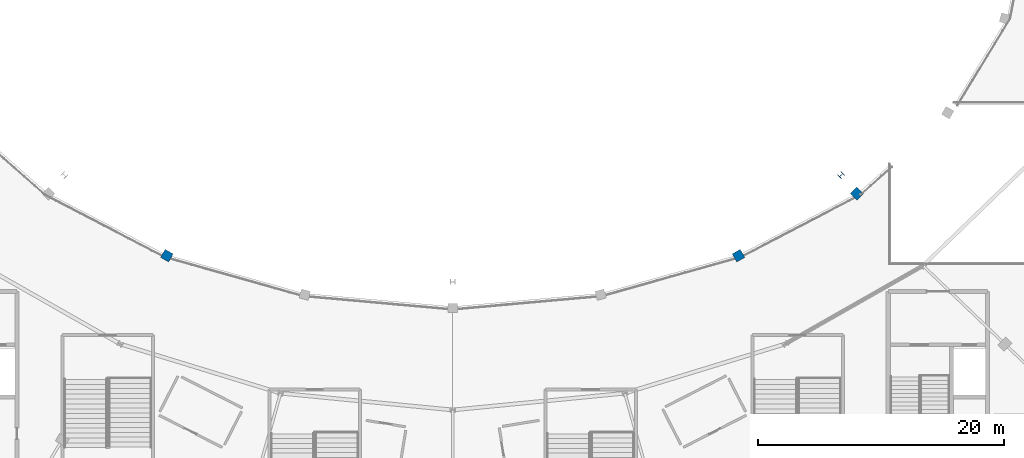
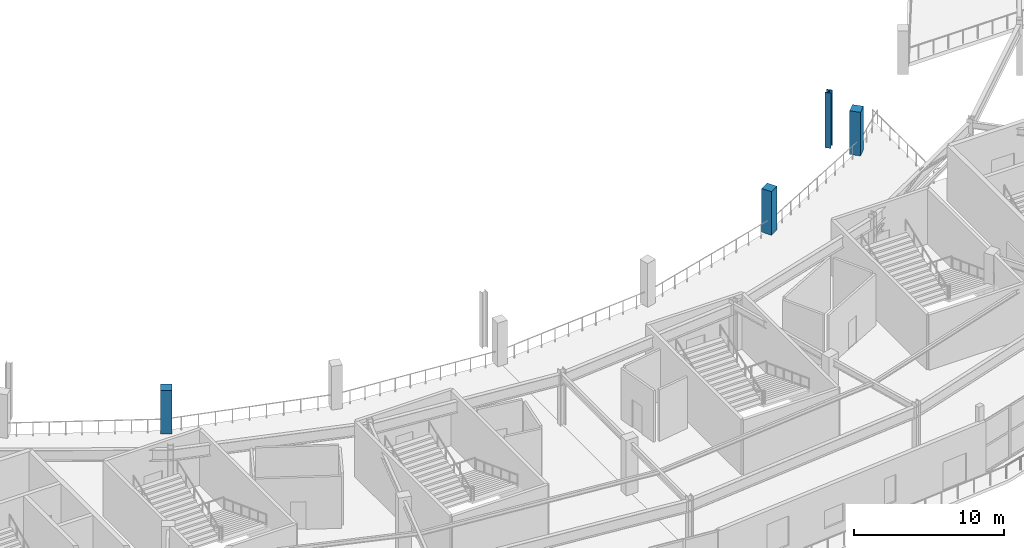
# One storey, part 6 of 123: 4 columns.
"""IFC4 building model written with IfcOpenShell, lengths in metres."""

from ifc_helpers import new_model, si_unit, direction, frame, origin, origin_2d, place, context, subcontext, project, spatial, rectangle, i_section, extrude, material, material_profile, profile_set, type_object, element, save


model = new_model("IFC4")

# Units and contexts
model_context = context("Model", 3, precision=1e-05, world=origin(), true_north=direction((0.0, 1.0)))
body_context = subcontext(model_context, "Body", "Model", "MODEL_VIEW")
ifc_project = project(units=[si_unit("LENGTHUNIT", "METRE"), si_unit("AREAUNIT", "SQUARE_METRE"), si_unit("VOLUMEUNIT", "CUBIC_METRE"), si_unit("PLANEANGLEUNIT", "RADIAN"), si_unit("MASSUNIT", "GRAM", prefix="KILO")], contexts=[model_context])

# Site, building, storey
site_placement = place(None, origin())
site = spatial("IfcSite", under=ifc_project, at=site_placement, CompositionType="ELEMENT")
building_placement = place(site_placement, origin())
building = spatial("IfcBuilding", under=site, at=building_placement, Name="Kalgoora Escarpment Arena", CompositionType="ELEMENT")
storey_placement = place(building_placement, frame((0.0, 0.0, 9.89990234375)))
storey = spatial("IfcBuildingStorey", under=building, at=storey_placement, Name="L02", CompositionType="ELEMENT", Elevation=9.89990234375)

# Columns
ifc_material_1 = material(Name="Structural steel Grade 350 (350 MPa)", Category="steel")
ifc_material_profile_1 = material_profile(ifc_material_1, i_section(OverallWidth=0.39990234375, OverallDepth=0.39990234375, WebThickness=0.01806640625, FlangeThickness=0.031982421875, at=origin_2d()))
ifc_profile_set_1 = profile_set([ifc_material_profile_1], Name="Structural steel Grade 350 (350 MPa)")
column_type_1 = type_object("IfcColumnType", Name="COL-COL-400WC270", PredefinedType="COLUMN", material=ifc_profile_set_1)
column_1_placement = place(storey_placement, frame((123.93701171875, 43.069580078125, 0.0), z_axis=(0.0, 0.0, 1.0), x_axis=(0.707106781187, -0.707106781187, 0.0)))
element("IfcColumn", 1, at=column_1_placement, inside=storey, type_object=column_type_1, Name="L02 structural column COL-TSPINE-S08", PredefinedType="COLUMN", context=body_context, shape_type="SweptSolid", body=[
    extrude(i_section(OverallWidth=0.39990234375, OverallDepth=0.39990234375, WebThickness=0.01806640625, FlangeThickness=0.031982421875, at=origin_2d()), origin(), (0.0, 0.0, 1.0), 4.5),
])
ifc_material_2 = material(Name="Concrete N50 (fc' 50 MPa)", Category="concrete")
ifc_material_profile_2 = material_profile(ifc_material_2, rectangle(XDim=0.75, YDim=0.75, at=origin_2d()))
ifc_profile_set_2 = profile_set([ifc_material_profile_2], Name="Concrete N50 (fc' 50 MPa)")
column_type_2 = type_object("IfcColumnType", Name="COL-COL-RC750x750", PredefinedType="COLUMN", material=ifc_profile_set_2)
for number, where, z_axis, x_axis, name in (
    (2, (69.195068359375, 36.52978515625, 0.0), (0.0, 0.0, 1.0), (-0.5, -0.866025403784, 0.0), "L02 structural column COL-RMID-R17"),
    (3, (115.60498046875, 36.52978515625, 0.0), (0.0, 0.0, 1.0), (0.5, -0.866025403784, 0.0), "L02 structural column COL-RMID-R21"),
):
    element("IfcColumn", number, at=place(storey_placement, frame(where, z_axis=z_axis, x_axis=x_axis)), inside=storey, type_object=column_type_2, Name=name, PredefinedType="COLUMN", context=body_context, shape_type="SweptSolid", body=[
        extrude(rectangle(XDim=0.75, YDim=0.75, at=origin_2d()), origin(), (0.0, 0.0, 1.0), 3.5517578125),
    ])
column_2_placement = place(storey_placement, frame((125.216796875, 41.570556640625, 0.0), z_axis=(0.0, 0.0, 1.0), x_axis=(0.707106781187, -0.707106781187, 0.0)))
element("IfcColumn", 4, at=column_2_placement, inside=storey, type_object=column_type_2, Name="L02 structural column COL-RMID-R22", PredefinedType="COLUMN", context=body_context, shape_type="SweptSolid", body=[
    extrude(rectangle(XDim=0.75, YDim=0.75, at=origin_2d()), origin(), (0.0, 0.0, 1.0), 3.549072265625),
])

save(model, "model.ifc")
